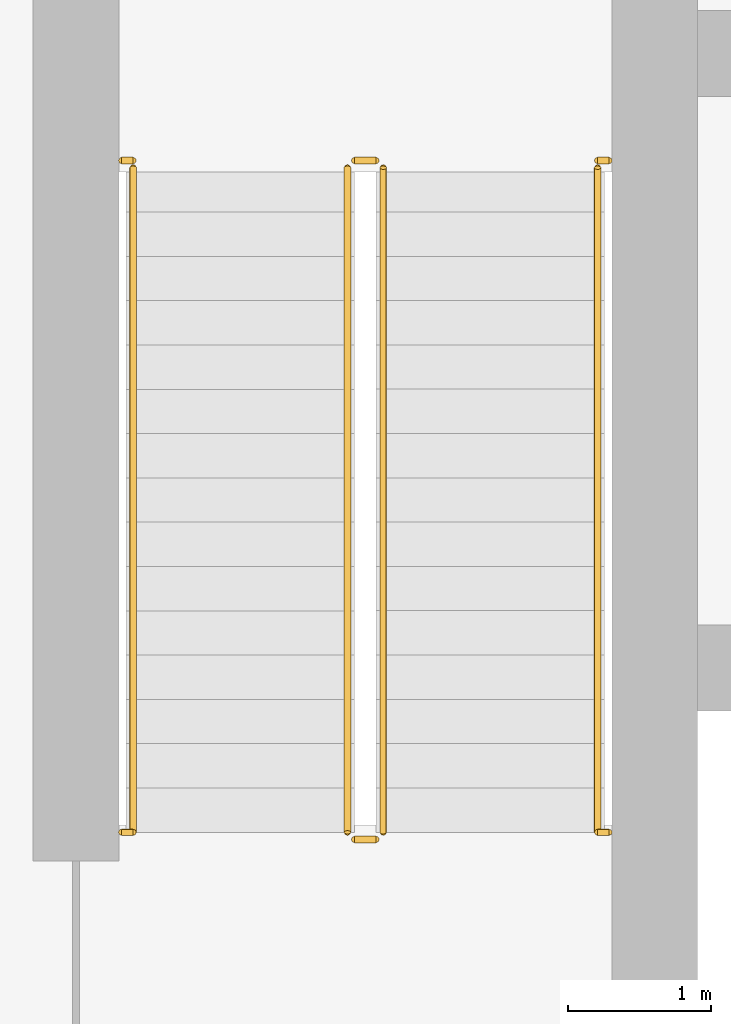
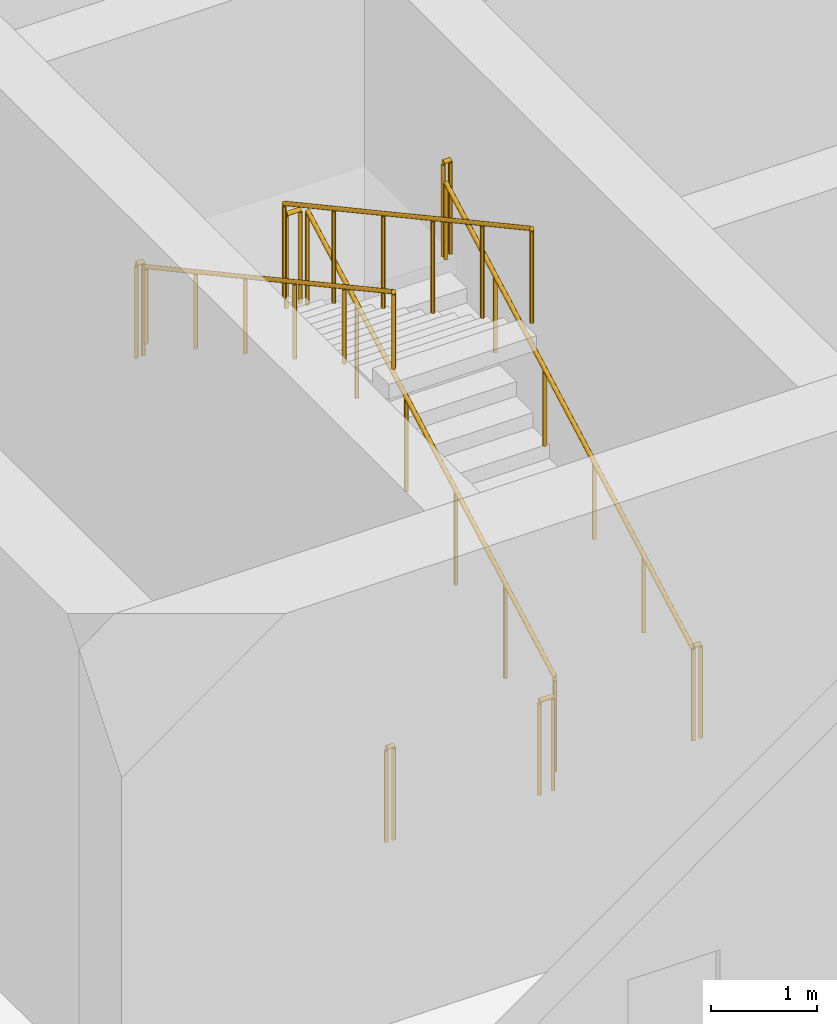
# One storey, part 21 of 27: 10 railings.
"""IFC4 building model written with IfcOpenShell, lengths in metres."""

from ifc_helpers import new_model, si_unit, direction, frame, origin, origin_2d, place, context, subcontext, project, spatial, circle, extrude, material, type_object, element, save


model = new_model("IFC4")

# Units and contexts
model_context = context("Model", 3, precision=1e-05, world=origin(), true_north=direction((0.0, 1.0)))
body_context = subcontext(model_context, "Body", "Model", "MODEL_VIEW")
ifc_project = project(units=[si_unit("LENGTHUNIT", "METRE"), si_unit("AREAUNIT", "SQUARE_METRE"), si_unit("VOLUMEUNIT", "CUBIC_METRE"), si_unit("PLANEANGLEUNIT", "RADIAN"), si_unit("MASSUNIT", "GRAM", prefix="KILO")], contexts=[model_context])

# Site, building, storey
site_placement = place(None, origin())
site = spatial("IfcSite", under=ifc_project, at=site_placement, CompositionType="ELEMENT")
building_placement = place(site_placement, origin())
building = spatial("IfcBuilding", under=site, at=building_placement, Name="Madar Terraces", CompositionType="ELEMENT")
storey_placement = place(building_placement, frame((0.0, 0.0, 143.60009765625)))
storey = spatial("IfcBuildingStorey", under=building, at=storey_placement, Name="L37", CompositionType="ELEMENT", Elevation=143.60009765625)

# Railings
ifc_material_1 = material(Name="Stainless steel railing", Category="steel")
railing_type_1 = type_object("IfcRailingType", Name="Stair guard 1100", PredefinedType="GUARDRAIL", material=ifc_material_1)
railing_1_placement = place(storey_placement, frame((21.199951171875, 17.60009765625, 0.168701171875)))
element("IfcRailing", 1, at=railing_1_placement, inside=storey, type_object=railing_type_1, Name="L37 ST1 stair guard 1", PredefinedType="GUARDRAIL", context=body_context, shape_type="SweptSolid", body=[
    extrude(circle(Radius=0.02392578125, at=origin_2d()), frame((0.0, 0.0, 1.076171875), z_axis=(0.0, 0.878297076953, 0.478115304728), x_axis=(-1.0, 0.0, 0.0)), (0.0, 0.0, 1.0), 5.294189453125),
    extrude(circle(Radius=0.02099609375, at=origin_2d()), origin(), (0.0, 0.0, 1.0), 1.052001953125),
    extrude(circle(Radius=0.02099609375, at=origin_2d()), frame((0.0, 0.929931640625, 0.50634765625)), (0.0, 0.0, 1.0), 1.052001953125),
    extrude(circle(Radius=0.02099609375, at=origin_2d()), frame((0.0, 1.85986328125, 1.012451171875)), (0.0, 0.0, 1.0), 1.052001953125),
    extrude(circle(Radius=0.02099609375, at=origin_2d()), frame((0.0, 2.7900390625, 1.518798828125)), (0.0, 0.0, 1.0), 1.052001953125),
    extrude(circle(Radius=0.02099609375, at=origin_2d()), frame((0.0, 3.719970703125, 2.02490234375)), (0.0, 0.0, 1.0), 1.052001953125),
    extrude(circle(Radius=0.02099609375, at=origin_2d()), frame((0.0, 4.64990234375, 2.53125)), (0.0, 0.0, 1.0), 1.052001953125),
])
railing_2_placement = place(storey_placement, frame((21.14990234375, 22.300048828125, 2.699951171875)))
element("IfcRailing", 2, at=railing_2_placement, inside=storey, type_object=railing_type_1, Name="L37 ST1 stair guard 2", PredefinedType="GUARDRAIL", context=body_context, shape_type="SweptSolid", body=[
    extrude(circle(Radius=0.02392578125, at=origin_2d()), frame((0.0, 0.0, 1.076171875), z_axis=(-1.0, 0.0, 0.0), x_axis=(0.0, -1.0, 0.0)), (0.0, 0.0, 1.0), 0.14990234375),
    extrude(circle(Radius=0.02099609375, at=origin_2d()), origin(), (0.0, 0.0, 1.0), 1.052001953125),
    extrude(circle(Radius=0.02099609375, at=origin_2d()), frame((-0.14990234375, 0.0, 0.0)), (0.0, 0.0, 1.0), 1.052001953125),
])
railing_3_placement = place(storey_placement, frame((20.949951171875, 22.25, 2.86865234375)))
element("IfcRailing", 3, at=railing_3_placement, inside=storey, type_object=railing_type_1, Name="L37 ST1 stair guard 3", PredefinedType="GUARDRAIL", context=body_context, shape_type="SweptSolid", body=[
    extrude(circle(Radius=0.02392578125, at=origin_2d()), frame((0.0, 0.0, 1.076171875), z_axis=(0.0, -0.878297076953, 0.478115304728), x_axis=(1.0, 0.0, 0.0)), (0.0, 0.0, 1.0), 5.294189453125),
    extrude(circle(Radius=0.02099609375, at=origin_2d()), origin(), (0.0, 0.0, 1.0), 1.052001953125),
    extrude(circle(Radius=0.02099609375, at=origin_2d()), frame((0.0, -0.929931640625, 0.50634765625)), (0.0, 0.0, 1.0), 1.052001953125),
    extrude(circle(Radius=0.02099609375, at=origin_2d()), frame((0.0, -1.85986328125, 1.012451171875)), (0.0, 0.0, 1.0), 1.052001953125),
    extrude(circle(Radius=0.02099609375, at=origin_2d()), frame((0.0, -2.7900390625, 1.518798828125)), (0.0, 0.0, 1.0), 1.052001953125),
    extrude(circle(Radius=0.02099609375, at=origin_2d()), frame((0.0, -3.719970703125, 2.02490234375)), (0.0, 0.0, 1.0), 1.052001953125),
    extrude(circle(Radius=0.02099609375, at=origin_2d()), frame((0.0, -4.64990234375, 2.53125)), (0.0, 0.0, 1.0), 1.052001953125),
])
railing_4_placement = place(storey_placement, frame((21.14990234375, 17.550048828125, 0.0)))
element("IfcRailing", 4, at=railing_4_placement, inside=storey, type_object=railing_type_1, Name="L37 ST1 stair guard 4", PredefinedType="GUARDRAIL", context=body_context, shape_type="SweptSolid", body=[
    extrude(circle(Radius=0.02392578125, at=origin_2d()), frame((0.0, 0.0, 1.076171875), z_axis=(-1.0, 0.0, 0.0), x_axis=(0.0, -1.0, 0.0)), (0.0, 0.0, 1.0), 0.14990234375),
    extrude(circle(Radius=0.02099609375, at=origin_2d()), origin(), (0.0, 0.0, 1.0), 1.052001953125),
    extrude(circle(Radius=0.02099609375, at=origin_2d()), frame((-0.14990234375, 0.0, 0.0)), (0.0, 0.0, 1.0), 1.052001953125),
])
railing_5_placement = place(storey_placement, frame((19.3701171875, 22.300048828125, 2.699951171875)))
element("IfcRailing", 5, at=railing_5_placement, inside=storey, type_object=railing_type_1, Name="L37 stair guard seat 1", PredefinedType="GUARDRAIL", context=body_context, shape_type="SweptSolid", body=[
    extrude(circle(Radius=0.02392578125, at=origin_2d()), frame((0.0, 0.0, 1.076171875), z_axis=(1.0, 0.0, 0.0), x_axis=(0.0, 1.0, 0.0)), (0.0, 0.0, 1.0), 0.079833984375),
    extrude(circle(Radius=0.02099609375, at=origin_2d()), origin(), (0.0, 0.0, 1.0), 1.052001953125),
    extrude(circle(Radius=0.02099609375, at=origin_2d()), frame((0.079833984375, 0.0, 0.0)), (0.0, 0.0, 1.0), 1.052001953125),
])
railing_6_placement = place(storey_placement, frame((22.699951171875, 22.300048828125, 2.699951171875)))
element("IfcRailing", 6, at=railing_6_placement, inside=storey, type_object=railing_type_1, Name="L37 stair guard seat 2", PredefinedType="GUARDRAIL", context=body_context, shape_type="SweptSolid", body=[
    extrude(circle(Radius=0.02392578125, at=origin_2d()), frame((0.0, 0.0, 1.076171875), z_axis=(1.0, 0.0, 0.0), x_axis=(0.0, 1.0, 0.0)), (0.0, 0.0, 1.0), 0.080078125),
    extrude(circle(Radius=0.02099609375, at=origin_2d()), origin(), (0.0, 0.0, 1.0), 1.052001953125),
    extrude(circle(Radius=0.02099609375, at=origin_2d()), frame((0.080078125, 0.0, 0.0)), (0.0, 0.0, 1.0), 1.052001953125),
])
railing_7_placement = place(storey_placement, frame((19.3701171875, 17.60009765625, 0.0)))
element("IfcRailing", 7, at=railing_7_placement, inside=storey, type_object=railing_type_1, Name="L37 stair guard floor 1", PredefinedType="GUARDRAIL", context=body_context, shape_type="SweptSolid", body=[
    extrude(circle(Radius=0.02392578125, at=origin_2d()), frame((0.0, 0.0, 1.076171875), z_axis=(1.0, 0.0, 0.0), x_axis=(0.0, 1.0, 0.0)), (0.0, 0.0, 1.0), 0.079833984375),
    extrude(circle(Radius=0.02099609375, at=origin_2d()), origin(), (0.0, 0.0, 1.0), 1.052001953125),
    extrude(circle(Radius=0.02099609375, at=origin_2d()), frame((0.079833984375, 0.0, 0.0)), (0.0, 0.0, 1.0), 1.052001953125),
])
railing_8_placement = place(storey_placement, frame((22.699951171875, 17.60009765625, 0.0)))
element("IfcRailing", 8, at=railing_8_placement, inside=storey, type_object=railing_type_1, Name="L37 stair guard floor 2", PredefinedType="GUARDRAIL", context=body_context, shape_type="SweptSolid", body=[
    extrude(circle(Radius=0.02392578125, at=origin_2d()), frame((0.0, 0.0, 1.076171875), z_axis=(1.0, 0.0, 0.0), x_axis=(0.0, 1.0, 0.0)), (0.0, 0.0, 1.0), 0.080078125),
    extrude(circle(Radius=0.02099609375, at=origin_2d()), origin(), (0.0, 0.0, 1.0), 1.052001953125),
    extrude(circle(Radius=0.02099609375, at=origin_2d()), frame((0.080078125, 0.0, 0.0)), (0.0, 0.0, 1.0), 1.052001953125),
])
ifc_material_2 = material(Name="Stainless steel railing", Category="steel")
railing_type_2 = type_object("IfcRailingType", Name="Stair handrail 900", PredefinedType="HANDRAIL", material=ifc_material_2)
railing_9_placement = place(storey_placement, frame((22.699951171875, 17.60009765625, 0.168701171875)))
element("IfcRailing", 9, at=railing_9_placement, inside=storey, type_object=railing_type_2, Name="L37 ST1 stair handrail 1", PredefinedType="HANDRAIL", context=body_context, shape_type="SweptSolid", body=[
    extrude(circle(Radius=0.02392578125, at=origin_2d()), frame((0.0, 0.0, 0.8759765625), z_axis=(0.0, 0.878297076953, 0.478115304728), x_axis=(-1.0, 0.0, 0.0)), (0.0, 0.0, 1.0), 5.294189453125),
    extrude(circle(Radius=0.02099609375, at=origin_2d()), origin(), (0.0, 0.0, 1.0), 0.851806640625),
    extrude(circle(Radius=0.02099609375, at=origin_2d()), frame((0.0, 0.929931640625, 0.50634765625)), (0.0, 0.0, 1.0), 0.851806640625),
    extrude(circle(Radius=0.02099609375, at=origin_2d()), frame((0.0, 1.85986328125, 1.012451171875)), (0.0, 0.0, 1.0), 0.851806640625),
    extrude(circle(Radius=0.02099609375, at=origin_2d()), frame((0.0, 2.7900390625, 1.518798828125)), (0.0, 0.0, 1.0), 0.851806640625),
    extrude(circle(Radius=0.02099609375, at=origin_2d()), frame((0.0, 3.719970703125, 2.02490234375)), (0.0, 0.0, 1.0), 0.851806640625),
    extrude(circle(Radius=0.02099609375, at=origin_2d()), frame((0.0, 4.64990234375, 2.53125)), (0.0, 0.0, 1.0), 0.851806640625),
])
railing_10_placement = place(storey_placement, frame((19.449951171875, 22.25, 2.86865234375)))
element("IfcRailing", 10, at=railing_10_placement, inside=storey, type_object=railing_type_2, Name="L37 ST1 stair handrail 2", PredefinedType="HANDRAIL", context=body_context, shape_type="SweptSolid", body=[
    extrude(circle(Radius=0.02392578125, at=origin_2d()), frame((0.0, 0.0, 0.8759765625), z_axis=(0.0, -0.878297076953, 0.478115304728), x_axis=(1.0, 0.0, 0.0)), (0.0, 0.0, 1.0), 5.294189453125),
    extrude(circle(Radius=0.02099609375, at=origin_2d()), origin(), (0.0, 0.0, 1.0), 0.851806640625),
    extrude(circle(Radius=0.02099609375, at=origin_2d()), frame((0.0, -0.929931640625, 0.50634765625)), (0.0, 0.0, 1.0), 0.851806640625),
    extrude(circle(Radius=0.02099609375, at=origin_2d()), frame((0.0, -1.85986328125, 1.012451171875)), (0.0, 0.0, 1.0), 0.851806640625),
    extrude(circle(Radius=0.02099609375, at=origin_2d()), frame((0.0, -2.7900390625, 1.518798828125)), (0.0, 0.0, 1.0), 0.851806640625),
    extrude(circle(Radius=0.02099609375, at=origin_2d()), frame((0.0, -3.719970703125, 2.02490234375)), (0.0, 0.0, 1.0), 0.851806640625),
    extrude(circle(Radius=0.02099609375, at=origin_2d()), frame((0.0, -4.64990234375, 2.53125)), (0.0, 0.0, 1.0), 0.851806640625),
])

save(model, "model.ifc")
